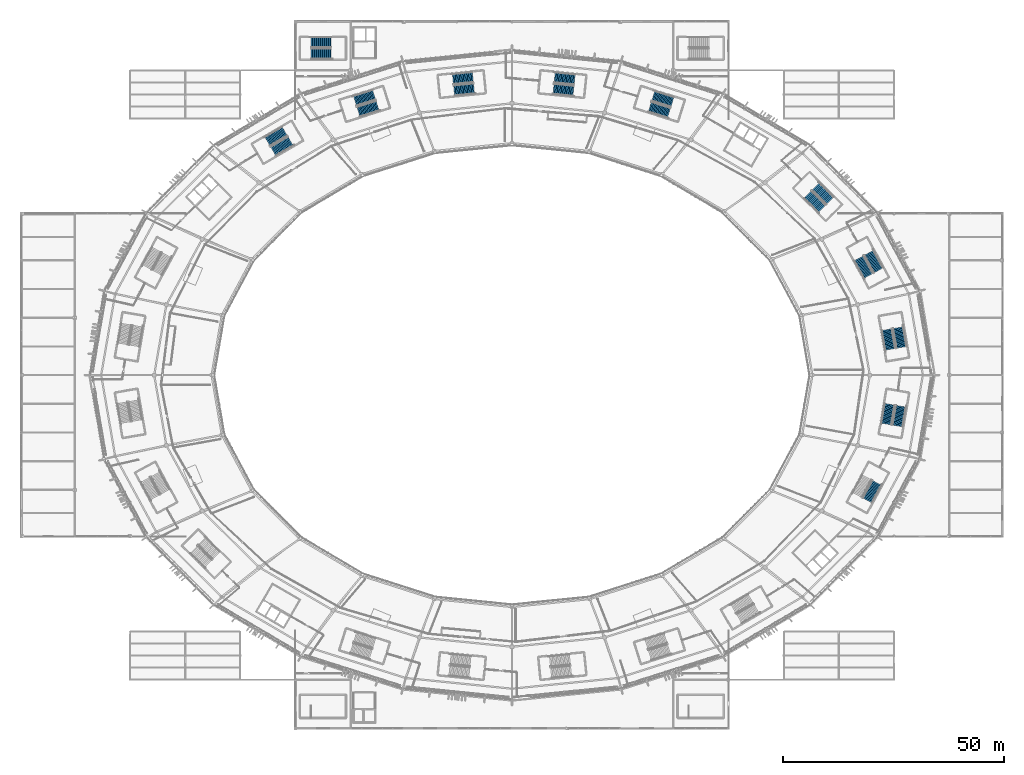
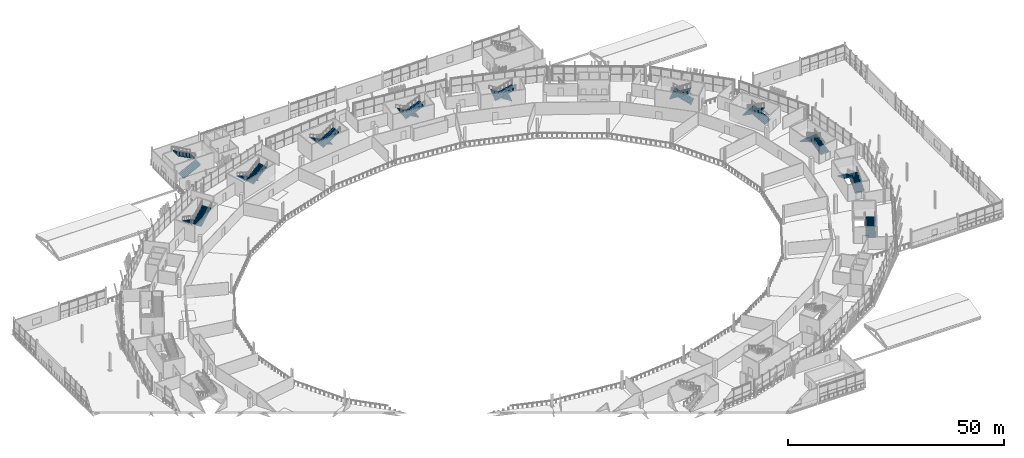
# One storey, part 137 of 179: 21 stair flights, 11 elements without a shape of their own.
"""IFC4 building model written with IfcOpenShell, lengths in metres."""

from ifc_helpers import new_model, si_unit, direction, frame, origin, place, context, subcontext, project, spatial, polyline, outline, extrude, material, type_object, element, aggregate, save


model = new_model("IFC4")

# Units and contexts
model_context = context("Model", 3, precision=1e-05, world=origin(), true_north=direction((0.0, 1.0)))
body_context = subcontext(model_context, "Body", "Model", "MODEL_VIEW")
ifc_project = project(units=[si_unit("LENGTHUNIT", "METRE"), si_unit("AREAUNIT", "SQUARE_METRE"), si_unit("VOLUMEUNIT", "CUBIC_METRE"), si_unit("PLANEANGLEUNIT", "RADIAN"), si_unit("MASSUNIT", "GRAM", prefix="KILO")], contexts=[model_context])

# Site, building, storey
site_placement = place(None, origin())
site = spatial("IfcSite", under=ifc_project, at=site_placement, CompositionType="ELEMENT")
building_placement = place(site_placement, origin())
building = spatial("IfcBuilding", under=site, at=building_placement, Name="Zlatoyarsky Gate Stadium", CompositionType="ELEMENT")
storey_placement = place(building_placement, frame((0.0, 0.0, 10.60009765625)))
storey = spatial("IfcBuildingStorey", under=building, at=storey_placement, Name="L02", CompositionType="ELEMENT", Elevation=10.60009765625)

# Stair, stair flights
ifc_material = material(Name="Concrete C40/50", Category="concrete")
stair_type = type_object("IfcStairType", Name="CONCRETE DOGLEG EXIT STAIR H5000", PredefinedType="TWO_STRAIGHT_RUN_STAIR", material=ifc_material)
stair_1_placement = place(storey_placement, origin())
stair_1 = element("IfcStair", 1, at=stair_1_placement, inside=storey, type_object=stair_type, Name="L02 Exit Stair ST-01", PredefinedType="TWO_STRAIGHT_RUN_STAIR")
stair_flight_type = type_object("IfcStairFlightType", Name="CONCRETE STAIR FLIGHT 2400 H5000", PredefinedType="STRAIGHT", material=ifc_material)
stair_flight_1_placement = place(storey_placement, frame((199.19287109375, 86.28125, 0.0), z_axis=(0.0, 0.0, 1.0), x_axis=(-0.169937754623, 0.985454798331, 0.0)))
stair_flight_1 = element("IfcStairFlight", 2, at=stair_flight_1_placement, type_object=stair_flight_type, Name="ST-DG50 flight 1", NumberOfRisers=16, NumberOfTreads=15, PredefinedType="STRAIGHT", RiserHeight=0.15625, TreadLength=0.3, context=body_context, shape_type="SweptSolid", body=[
    extrude(outline(polyline([(-0.006103515625, -0.202880859375), (-0.006103515625, 0.0), (0.0, 0.0), (0.0, 0.15625), (0.300048828125, 0.15625), (0.300048828125, 0.3125), (0.60009765625, 0.3125), (0.60009765625, 0.46875), (0.89990234375, 0.46875), (0.89990234375, 0.625), (1.199951171875, 0.625), (1.199951171875, 0.78125), (1.5, 0.78125), (1.5, 0.9375), (1.800048828125, 0.9375), (1.800048828125, 1.09375), (2.10009765625, 1.09375), (2.10009765625, 1.25), (2.39990234375, 1.25), (2.39990234375, 1.40625), (2.699951171875, 1.40625), (2.699951171875, 1.5625), (3.0, 1.5625), (3.0, 1.71875), (3.300048828125, 1.71875), (3.300048828125, 1.875), (3.60009765625, 1.875), (3.60009765625, 2.03125), (3.89990234375, 2.03125), (3.89990234375, 2.1875), (4.199951171875, 2.1875), (4.199951171875, 2.34375), (4.5, 2.34375), (4.5, 2.5), (4.506103515625, 2.5), (4.506103515625, 2.140869140625), (4.5, 2.140869140625), (-0.006103515625, -0.202880859375)])), frame((0.0, 1.199951171875, 0.0), z_axis=(0.0, -1.0, 0.0), x_axis=(1.0, 0.0, 0.0)), (0.0, 0.0, 1.0), 2.39990234375),
])
stair_flight_2_placement = place(storey_placement, frame((195.865966796875, 90.27392578125, 2.5), z_axis=(0.0, 0.0, 1.0), x_axis=(0.169937754623, -0.985454798331, 0.0)))
stair_flight_2 = element("IfcStairFlight", 3, at=stair_flight_2_placement, type_object=stair_flight_type, Name="ST-DG50 flight 2", NumberOfRisers=16, NumberOfTreads=15, PredefinedType="STRAIGHT", RiserHeight=0.15625, TreadLength=0.3, context=body_context, shape_type="SweptSolid", body=[
    extrude(outline(polyline([(-0.006103515625, -0.202880859375), (-0.006103515625, 0.0), (0.0, 0.0), (0.0, 0.15625), (0.300048828125, 0.15625), (0.300048828125, 0.3125), (0.60009765625, 0.3125), (0.60009765625, 0.46875), (0.89990234375, 0.46875), (0.89990234375, 0.625), (1.199951171875, 0.625), (1.199951171875, 0.78125), (1.5, 0.78125), (1.5, 0.9375), (1.800048828125, 0.9375), (1.800048828125, 1.09375), (2.10009765625, 1.09375), (2.10009765625, 1.25), (2.39990234375, 1.25), (2.39990234375, 1.40625), (2.699951171875, 1.40625), (2.699951171875, 1.5625), (3.0, 1.5625), (3.0, 1.71875), (3.300048828125, 1.71875), (3.300048828125, 1.875), (3.60009765625, 1.875), (3.60009765625, 2.03125), (3.89990234375, 2.03125), (3.89990234375, 2.1875), (4.199951171875, 2.1875), (4.199951171875, 2.34375), (4.5, 2.34375), (4.5, 2.5), (4.506103515625, 2.5), (4.506103515625, 2.140869140625), (4.5, 2.140869140625), (-0.006103515625, -0.202880859375)])), frame((0.0, 1.199951171875, 0.0), z_axis=(0.0, -1.0, 0.0), x_axis=(1.0, 0.0, 0.0)), (0.0, 0.0, 1.0), 2.39990234375),
])
aggregate(stair_1, [stair_flight_1, stair_flight_2])

stair_2_placement = place(storey_placement, origin())
stair_2 = element("IfcStair", 4, at=stair_2_placement, inside=storey, type_object=stair_type, Name="L02 Exit Stair ST-02", PredefinedType="TWO_STRAIGHT_RUN_STAIR")
stair_flight_3_placement = place(storey_placement, frame((182.98193359375, 119.49658203125, 0.0), z_axis=(0.0, 0.0, 1.0), x_axis=(-0.708901395436, 0.70530760066, 0.0)))
stair_flight_3 = element("IfcStairFlight", 5, at=stair_flight_3_placement, type_object=stair_flight_type, Name="ST-DG50 flight 1", NumberOfRisers=16, NumberOfTreads=15, PredefinedType="STRAIGHT", RiserHeight=0.15625, TreadLength=0.3, context=body_context, shape_type="SweptSolid", body=[
    extrude(outline(polyline([(-0.006103515625, -0.202880859375), (-0.006103515625, 0.0), (0.0, 0.0), (0.0, 0.15625), (0.300048828125, 0.15625), (0.300048828125, 0.3125), (0.60009765625, 0.3125), (0.60009765625, 0.46875), (0.89990234375, 0.46875), (0.89990234375, 0.625), (1.199951171875, 0.625), (1.199951171875, 0.78125), (1.5, 0.78125), (1.5, 0.9375), (1.800048828125, 0.9375), (1.800048828125, 1.09375), (2.10009765625, 1.09375), (2.10009765625, 1.25), (2.39990234375, 1.25), (2.39990234375, 1.40625), (2.699951171875, 1.40625), (2.699951171875, 1.5625), (3.0, 1.5625), (3.0, 1.71875), (3.300048828125, 1.71875), (3.300048828125, 1.875), (3.60009765625, 1.875), (3.60009765625, 2.03125), (3.89990234375, 2.03125), (3.89990234375, 2.1875), (4.199951171875, 2.1875), (4.199951171875, 2.34375), (4.5, 2.34375), (4.5, 2.5), (4.506103515625, 2.5), (4.506103515625, 2.140869140625), (4.5, 2.140869140625), (-0.006103515625, -0.202880859375)])), frame((0.0, 1.199951171875, 0.0), z_axis=(0.0, -1.0, 0.0), x_axis=(1.0, 0.0, 0.0)), (0.0, 0.0, 1.0), 2.39990234375),
])
stair_flight_4_placement = place(storey_placement, frame((177.9580078125, 120.827392578125, 2.5), z_axis=(0.0, 0.0, 1.0), x_axis=(0.708901395436, -0.70530760066, 0.0)))
stair_flight_4 = element("IfcStairFlight", 6, at=stair_flight_4_placement, type_object=stair_flight_type, Name="ST-DG50 flight 2", NumberOfRisers=16, NumberOfTreads=15, PredefinedType="STRAIGHT", RiserHeight=0.15625, TreadLength=0.3, context=body_context, shape_type="SweptSolid", body=[
    extrude(outline(polyline([(-0.006103515625, -0.202880859375), (-0.006103515625, 0.0), (0.0, 0.0), (0.0, 0.15625), (0.300048828125, 0.15625), (0.300048828125, 0.3125), (0.60009765625, 0.3125), (0.60009765625, 0.46875), (0.89990234375, 0.46875), (0.89990234375, 0.625), (1.199951171875, 0.625), (1.199951171875, 0.78125), (1.5, 0.78125), (1.5, 0.9375), (1.800048828125, 0.9375), (1.800048828125, 1.09375), (2.10009765625, 1.09375), (2.10009765625, 1.25), (2.39990234375, 1.25), (2.39990234375, 1.40625), (2.699951171875, 1.40625), (2.699951171875, 1.5625), (3.0, 1.5625), (3.0, 1.71875), (3.300048828125, 1.71875), (3.300048828125, 1.875), (3.60009765625, 1.875), (3.60009765625, 2.03125), (3.89990234375, 2.03125), (3.89990234375, 2.1875), (4.199951171875, 2.1875), (4.199951171875, 2.34375), (4.5, 2.34375), (4.5, 2.5), (4.506103515625, 2.5), (4.506103515625, 2.140869140625), (4.5, 2.140869140625), (-0.006103515625, -0.202880859375)])), frame((0.0, 1.199951171875, 0.0), z_axis=(0.0, -1.0, 0.0), x_axis=(1.0, 0.0, 0.0)), (0.0, 0.0, 1.0), 2.39990234375),
])
aggregate(stair_2, [stair_flight_3, stair_flight_4])

stair_3_placement = place(storey_placement, origin())
stair_3 = element("IfcStair", 7, at=stair_3_placement, inside=storey, type_object=stair_type, Name="L02 Exit Stair ST-03", PredefinedType="TWO_STRAIGHT_RUN_STAIR")
stair_flight_5_placement = place(storey_placement, frame((147.29150390625, 141.820068359375, 0.0), z_axis=(0.0, 0.0, 1.0), x_axis=(-0.953463118711, 0.301509670257, 0.0)))
stair_flight_5 = element("IfcStairFlight", 8, at=stair_flight_5_placement, type_object=stair_flight_type, Name="ST-DG50 flight 1", NumberOfRisers=16, NumberOfTreads=15, PredefinedType="STRAIGHT", RiserHeight=0.15625, TreadLength=0.3, context=body_context, shape_type="SweptSolid", body=[
    extrude(outline(polyline([(-0.006103515625, -0.202880859375), (-0.006103515625, 0.0), (0.0, 0.0), (0.0, 0.15625), (0.300048828125, 0.15625), (0.300048828125, 0.3125), (0.60009765625, 0.3125), (0.60009765625, 0.46875), (0.89990234375, 0.46875), (0.89990234375, 0.625), (1.199951171875, 0.625), (1.199951171875, 0.78125), (1.5, 0.78125), (1.5, 0.9375), (1.800048828125, 0.9375), (1.800048828125, 1.09375), (2.10009765625, 1.09375), (2.10009765625, 1.25), (2.39990234375, 1.25), (2.39990234375, 1.40625), (2.699951171875, 1.40625), (2.699951171875, 1.5625), (3.0, 1.5625), (3.0, 1.71875), (3.300048828125, 1.71875), (3.300048828125, 1.875), (3.60009765625, 1.875), (3.60009765625, 2.03125), (3.89990234375, 2.03125), (3.89990234375, 2.1875), (4.199951171875, 2.1875), (4.199951171875, 2.34375), (4.5, 2.34375), (4.5, 2.5), (4.506103515625, 2.5), (4.506103515625, 2.140869140625), (4.5, 2.140869140625), (-0.006103515625, -0.202880859375)])), frame((0.0, 1.199951171875, 0.0), z_axis=(0.0, -1.0, 0.0), x_axis=(1.0, 0.0, 0.0)), (0.0, 0.0, 1.0), 2.39990234375),
])
stair_flight_6_placement = place(storey_placement, frame((142.217041015625, 140.69775390625, 2.5), z_axis=(0.0, 0.0, 1.0), x_axis=(0.953463118711, -0.301509670257, 0.0)))
stair_flight_6 = element("IfcStairFlight", 9, at=stair_flight_6_placement, type_object=stair_flight_type, Name="ST-DG50 flight 2", NumberOfRisers=16, NumberOfTreads=15, PredefinedType="STRAIGHT", RiserHeight=0.15625, TreadLength=0.3, context=body_context, shape_type="SweptSolid", body=[
    extrude(outline(polyline([(-0.006103515625, -0.202880859375), (-0.006103515625, 0.0), (0.0, 0.0), (0.0, 0.15625), (0.300048828125, 0.15625), (0.300048828125, 0.3125), (0.60009765625, 0.3125), (0.60009765625, 0.46875), (0.89990234375, 0.46875), (0.89990234375, 0.625), (1.199951171875, 0.625), (1.199951171875, 0.78125), (1.5, 0.78125), (1.5, 0.9375), (1.800048828125, 0.9375), (1.800048828125, 1.09375), (2.10009765625, 1.09375), (2.10009765625, 1.25), (2.39990234375, 1.25), (2.39990234375, 1.40625), (2.699951171875, 1.40625), (2.699951171875, 1.5625), (3.0, 1.5625), (3.0, 1.71875), (3.300048828125, 1.71875), (3.300048828125, 1.875), (3.60009765625, 1.875), (3.60009765625, 2.03125), (3.89990234375, 2.03125), (3.89990234375, 2.1875), (4.199951171875, 2.1875), (4.199951171875, 2.34375), (4.5, 2.34375), (4.5, 2.5), (4.506103515625, 2.5), (4.506103515625, 2.140869140625), (4.5, 2.140869140625), (-0.006103515625, -0.202880859375)])), frame((0.0, 1.199951171875, 0.0), z_axis=(0.0, -1.0, 0.0), x_axis=(1.0, 0.0, 0.0)), (0.0, 0.0, 1.0), 2.39990234375),
])
aggregate(stair_3, [stair_flight_5, stair_flight_6])

stair_4_placement = place(storey_placement, origin())
stair_4 = element("IfcStair", 10, at=stair_4_placement, inside=storey, type_object=stair_type, Name="L02 Exit Stair ST-04", PredefinedType="TWO_STRAIGHT_RUN_STAIR")
stair_flight_7_placement = place(storey_placement, frame((102.123779296875, 147.4267578125, 0.0), z_axis=(0.0, 0.0, 1.0), x_axis=(-0.994986861964, -0.100005722426, 0.0)))
stair_flight_7 = element("IfcStairFlight", 11, at=stair_flight_7_placement, type_object=stair_flight_type, Name="ST-DG50 flight 1", NumberOfRisers=16, NumberOfTreads=15, PredefinedType="STRAIGHT", RiserHeight=0.15625, TreadLength=0.3, context=body_context, shape_type="SweptSolid", body=[
    extrude(outline(polyline([(-0.006103515625, -0.202880859375), (-0.006103515625, 0.0), (0.0, 0.0), (0.0, 0.15625), (0.300048828125, 0.15625), (0.300048828125, 0.3125), (0.60009765625, 0.3125), (0.60009765625, 0.46875), (0.89990234375, 0.46875), (0.89990234375, 0.625), (1.199951171875, 0.625), (1.199951171875, 0.78125), (1.5, 0.78125), (1.5, 0.9375), (1.800048828125, 0.9375), (1.800048828125, 1.09375), (2.10009765625, 1.09375), (2.10009765625, 1.25), (2.39990234375, 1.25), (2.39990234375, 1.40625), (2.699951171875, 1.40625), (2.699951171875, 1.5625), (3.0, 1.5625), (3.0, 1.71875), (3.300048828125, 1.71875), (3.300048828125, 1.875), (3.60009765625, 1.875), (3.60009765625, 2.03125), (3.89990234375, 2.03125), (3.89990234375, 2.1875), (4.199951171875, 2.1875), (4.199951171875, 2.34375), (4.5, 2.34375), (4.5, 2.5), (4.506103515625, 2.5), (4.506103515625, 2.140869140625), (4.5, 2.140869140625), (-0.006103515625, -0.202880859375)])), frame((0.0, 1.199951171875, 0.0), z_axis=(0.0, -1.0, 0.0), x_axis=(1.0, 0.0, 0.0)), (0.0, 0.0, 1.0), 2.39990234375),
])
stair_flight_8_placement = place(storey_placement, frame((97.906494140625, 144.389892578125, 2.5), z_axis=(0.0, 0.0, 1.0), x_axis=(0.994986861964, 0.100005722426, 0.0)))
stair_flight_8 = element("IfcStairFlight", 12, at=stair_flight_8_placement, type_object=stair_flight_type, Name="ST-DG50 flight 2", NumberOfRisers=16, NumberOfTreads=15, PredefinedType="STRAIGHT", RiserHeight=0.15625, TreadLength=0.3, context=body_context, shape_type="SweptSolid", body=[
    extrude(outline(polyline([(-0.006103515625, -0.202880859375), (-0.006103515625, 0.0), (0.0, 0.0), (0.0, 0.15625), (0.300048828125, 0.15625), (0.300048828125, 0.3125), (0.60009765625, 0.3125), (0.60009765625, 0.46875), (0.89990234375, 0.46875), (0.89990234375, 0.625), (1.199951171875, 0.625), (1.199951171875, 0.78125), (1.5, 0.78125), (1.5, 0.9375), (1.800048828125, 0.9375), (1.800048828125, 1.09375), (2.10009765625, 1.09375), (2.10009765625, 1.25), (2.39990234375, 1.25), (2.39990234375, 1.40625), (2.699951171875, 1.40625), (2.699951171875, 1.5625), (3.0, 1.5625), (3.0, 1.71875), (3.300048828125, 1.71875), (3.300048828125, 1.875), (3.60009765625, 1.875), (3.60009765625, 2.03125), (3.89990234375, 2.03125), (3.89990234375, 2.1875), (4.199951171875, 2.1875), (4.199951171875, 2.34375), (4.5, 2.34375), (4.5, 2.5), (4.506103515625, 2.5), (4.506103515625, 2.140869140625), (4.5, 2.140869140625), (-0.006103515625, -0.202880859375)])), frame((0.0, 1.199951171875, 0.0), z_axis=(0.0, -1.0, 0.0), x_axis=(1.0, 0.0, 0.0)), (0.0, 0.0, 1.0), 2.39990234375),
])
aggregate(stair_4, [stair_flight_7, stair_flight_8])

stair_5_placement = place(storey_placement, origin())
stair_5 = element("IfcStair", 13, at=stair_5_placement, inside=storey, type_object=stair_type, Name="L02 Exit Stair ST-05", PredefinedType="TWO_STRAIGHT_RUN_STAIR")
stair_flight_9_placement = place(storey_placement, frame((59.540771484375, 135.1689453125, 0.0), z_axis=(0.0, 0.0, 1.0), x_axis=(-0.86284821159, -0.505463118096, 0.0)))
stair_flight_9 = element("IfcStairFlight", 14, at=stair_flight_9_placement, type_object=stair_flight_type, Name="ST-DG50 flight 1", NumberOfRisers=16, NumberOfTreads=15, PredefinedType="STRAIGHT", RiserHeight=0.15625, TreadLength=0.3, context=body_context, shape_type="SweptSolid", body=[
    extrude(outline(polyline([(-0.006103515625, -0.202880859375), (-0.006103515625, 0.0), (0.0, 0.0), (0.0, 0.15625), (0.300048828125, 0.15625), (0.300048828125, 0.3125), (0.60009765625, 0.3125), (0.60009765625, 0.46875), (0.89990234375, 0.46875), (0.89990234375, 0.625), (1.199951171875, 0.625), (1.199951171875, 0.78125), (1.5, 0.78125), (1.5, 0.9375), (1.800048828125, 0.9375), (1.800048828125, 1.09375), (2.10009765625, 1.09375), (2.10009765625, 1.25), (2.39990234375, 1.25), (2.39990234375, 1.40625), (2.699951171875, 1.40625), (2.699951171875, 1.5625), (3.0, 1.5625), (3.0, 1.71875), (3.300048828125, 1.71875), (3.300048828125, 1.875), (3.60009765625, 1.875), (3.60009765625, 2.03125), (3.89990234375, 2.03125), (3.89990234375, 2.1875), (4.199951171875, 2.1875), (4.199951171875, 2.34375), (4.5, 2.34375), (4.5, 2.5), (4.506103515625, 2.5), (4.506103515625, 2.140869140625), (4.5, 2.140869140625), (-0.006103515625, -0.202880859375)])), frame((0.0, 1.199951171875, 0.0), z_axis=(0.0, -1.0, 0.0), x_axis=(1.0, 0.0, 0.0)), (0.0, 0.0, 1.0), 2.39990234375),
])
stair_flight_10_placement = place(storey_placement, frame((56.97216796875, 130.651123046875, 2.5), z_axis=(0.0, 0.0, 1.0), x_axis=(0.86284821159, 0.505463118096, 0.0)))
stair_flight_10 = element("IfcStairFlight", 15, at=stair_flight_10_placement, type_object=stair_flight_type, Name="ST-DG50 flight 2", NumberOfRisers=16, NumberOfTreads=15, PredefinedType="STRAIGHT", RiserHeight=0.15625, TreadLength=0.3, context=body_context, shape_type="SweptSolid", body=[
    extrude(outline(polyline([(-0.006103515625, -0.202880859375), (-0.006103515625, 0.0), (0.0, 0.0), (0.0, 0.15625), (0.300048828125, 0.15625), (0.300048828125, 0.3125), (0.60009765625, 0.3125), (0.60009765625, 0.46875), (0.89990234375, 0.46875), (0.89990234375, 0.625), (1.199951171875, 0.625), (1.199951171875, 0.78125), (1.5, 0.78125), (1.5, 0.9375), (1.800048828125, 0.9375), (1.800048828125, 1.09375), (2.10009765625, 1.09375), (2.10009765625, 1.25), (2.39990234375, 1.25), (2.39990234375, 1.40625), (2.699951171875, 1.40625), (2.699951171875, 1.5625), (3.0, 1.5625), (3.0, 1.71875), (3.300048828125, 1.71875), (3.300048828125, 1.875), (3.60009765625, 1.875), (3.60009765625, 2.03125), (3.89990234375, 2.03125), (3.89990234375, 2.1875), (4.199951171875, 2.1875), (4.199951171875, 2.34375), (4.5, 2.34375), (4.5, 2.5), (4.506103515625, 2.5), (4.506103515625, 2.140869140625), (4.5, 2.140869140625), (-0.006103515625, -0.202880859375)])), frame((0.0, 1.199951171875, 0.0), z_axis=(0.0, -1.0, 0.0), x_axis=(1.0, 0.0, 0.0)), (0.0, 0.0, 1.0), 2.39990234375),
])
aggregate(stair_5, [stair_flight_9, stair_flight_10])

# Stair, stair flight
stair_6_placement = place(storey_placement, origin())
stair_6 = element("IfcStair", 16, at=stair_6_placement, inside=storey, type_object=stair_type, Name="L02 Exit Stair ST-12", PredefinedType="TWO_STRAIGHT_RUN_STAIR")
stair_flight_11_placement = place(storey_placement, frame((191.4482421875, 51.62646484375, 0.0), z_axis=(0.0, 0.0, 1.0), x_axis=(0.476890318595, 0.878962811518, 0.0)))
stair_flight_11 = element("IfcStairFlight", 17, at=stair_flight_11_placement, type_object=stair_flight_type, Name="ST-DG50 flight 1", NumberOfRisers=16, NumberOfTreads=15, PredefinedType="STRAIGHT", RiserHeight=0.15625, TreadLength=0.3, context=body_context, shape_type="SweptSolid", body=[
    extrude(outline(polyline([(-0.006103515625, -0.202880859375), (-0.006103515625, 0.0), (0.0, 0.0), (0.0, 0.15625), (0.300048828125, 0.15625), (0.300048828125, 0.3125), (0.60009765625, 0.3125), (0.60009765625, 0.46875), (0.89990234375, 0.46875), (0.89990234375, 0.625), (1.199951171875, 0.625), (1.199951171875, 0.78125), (1.5, 0.78125), (1.5, 0.9375), (1.800048828125, 0.9375), (1.800048828125, 1.09375), (2.10009765625, 1.09375), (2.10009765625, 1.25), (2.39990234375, 1.25), (2.39990234375, 1.40625), (2.699951171875, 1.40625), (2.699951171875, 1.5625), (3.0, 1.5625), (3.0, 1.71875), (3.300048828125, 1.71875), (3.300048828125, 1.875), (3.60009765625, 1.875), (3.60009765625, 2.03125), (3.89990234375, 2.03125), (3.89990234375, 2.1875), (4.199951171875, 2.1875), (4.199951171875, 2.34375), (4.5, 2.34375), (4.5, 2.5), (4.506103515625, 2.5), (4.506103515625, 2.140869140625), (4.5, 2.140869140625), (-0.006103515625, -0.202880859375)])), frame((0.0, 1.199951171875, 0.0), z_axis=(0.0, -1.0, 0.0), x_axis=(1.0, 0.0, 0.0)), (0.0, 0.0, 1.0), 2.39990234375),
])
aggregate(stair_6, [stair_flight_11])

# Stair, stair flights
stair_7_placement = place(storey_placement, origin())
stair_7 = element("IfcStair", 18, at=stair_7_placement, inside=storey, type_object=stair_type, Name="L02 Exit Stair ST-13", PredefinedType="TWO_STRAIGHT_RUN_STAIR")
stair_flight_12_placement = place(storey_placement, frame((193.9755859375, 103.715087890625, 0.0), z_axis=(0.0, 0.0, 1.0), x_axis=(-0.476890318595, 0.878962811518, 0.0)))
stair_flight_12 = element("IfcStairFlight", 19, at=stair_flight_12_placement, type_object=stair_flight_type, Name="ST-DG50 flight 1", NumberOfRisers=16, NumberOfTreads=15, PredefinedType="STRAIGHT", RiserHeight=0.15625, TreadLength=0.3, context=body_context, shape_type="SweptSolid", body=[
    extrude(outline(polyline([(-0.006103515625, -0.202880859375), (-0.006103515625, 0.0), (0.0, 0.0), (0.0, 0.15625), (0.300048828125, 0.15625), (0.300048828125, 0.3125), (0.60009765625, 0.3125), (0.60009765625, 0.46875), (0.89990234375, 0.46875), (0.89990234375, 0.625), (1.199951171875, 0.625), (1.199951171875, 0.78125), (1.5, 0.78125), (1.5, 0.9375), (1.800048828125, 0.9375), (1.800048828125, 1.09375), (2.10009765625, 1.09375), (2.10009765625, 1.25), (2.39990234375, 1.25), (2.39990234375, 1.40625), (2.699951171875, 1.40625), (2.699951171875, 1.5625), (3.0, 1.5625), (3.0, 1.71875), (3.300048828125, 1.71875), (3.300048828125, 1.875), (3.60009765625, 1.875), (3.60009765625, 2.03125), (3.89990234375, 2.03125), (3.89990234375, 2.1875), (4.199951171875, 2.1875), (4.199951171875, 2.34375), (4.5, 2.34375), (4.5, 2.5), (4.506103515625, 2.5), (4.506103515625, 2.140869140625), (4.5, 2.140869140625), (-0.006103515625, -0.202880859375)])), frame((0.0, 1.199951171875, 0.0), z_axis=(0.0, -1.0, 0.0), x_axis=(1.0, 0.0, 0.0)), (0.0, 0.0, 1.0), 2.39990234375),
])
stair_flight_13_placement = place(storey_placement, frame((189.54443359375, 106.430419921875, 2.5), z_axis=(0.0, 0.0, 1.0), x_axis=(0.476890318595, -0.878962811518, 0.0)))
stair_flight_13 = element("IfcStairFlight", 20, at=stair_flight_13_placement, type_object=stair_flight_type, Name="ST-DG50 flight 2", NumberOfRisers=16, NumberOfTreads=15, PredefinedType="STRAIGHT", RiserHeight=0.15625, TreadLength=0.3, context=body_context, shape_type="SweptSolid", body=[
    extrude(outline(polyline([(-0.006103515625, -0.202880859375), (-0.006103515625, 0.0), (0.0, 0.0), (0.0, 0.15625), (0.300048828125, 0.15625), (0.300048828125, 0.3125), (0.60009765625, 0.3125), (0.60009765625, 0.46875), (0.89990234375, 0.46875), (0.89990234375, 0.625), (1.199951171875, 0.625), (1.199951171875, 0.78125), (1.5, 0.78125), (1.5, 0.9375), (1.800048828125, 0.9375), (1.800048828125, 1.09375), (2.10009765625, 1.09375), (2.10009765625, 1.25), (2.39990234375, 1.25), (2.39990234375, 1.40625), (2.699951171875, 1.40625), (2.699951171875, 1.5625), (3.0, 1.5625), (3.0, 1.71875), (3.300048828125, 1.71875), (3.300048828125, 1.875), (3.60009765625, 1.875), (3.60009765625, 2.03125), (3.89990234375, 2.03125), (3.89990234375, 2.1875), (4.199951171875, 2.1875), (4.199951171875, 2.34375), (4.5, 2.34375), (4.5, 2.5), (4.506103515625, 2.5), (4.506103515625, 2.140869140625), (4.5, 2.140869140625), (-0.006103515625, -0.202880859375)])), frame((0.0, 1.199951171875, 0.0), z_axis=(0.0, -1.0, 0.0), x_axis=(1.0, 0.0, 0.0)), (0.0, 0.0, 1.0), 2.39990234375),
])
aggregate(stair_7, [stair_flight_12, stair_flight_13])

stair_8_placement = place(storey_placement, origin())
stair_8 = element("IfcStair", 21, at=stair_8_placement, inside=storey, type_object=stair_type, Name="L02 Exit Stair ST-14", PredefinedType="TWO_STRAIGHT_RUN_STAIR")
stair_flight_14_placement = place(storey_placement, frame((79.76171875, 143.41796875, 0.0), z_axis=(0.0, 0.0, 1.0), x_axis=(-0.953463118711, -0.301509670257, 0.0)))
stair_flight_14 = element("IfcStairFlight", 22, at=stair_flight_14_placement, type_object=stair_flight_type, Name="ST-DG50 flight 1", NumberOfRisers=16, NumberOfTreads=15, PredefinedType="STRAIGHT", RiserHeight=0.15625, TreadLength=0.3, context=body_context, shape_type="SweptSolid", body=[
    extrude(outline(polyline([(-0.006103515625, -0.202880859375), (-0.006103515625, 0.0), (0.0, 0.0), (0.0, 0.15625), (0.300048828125, 0.15625), (0.300048828125, 0.3125), (0.60009765625, 0.3125), (0.60009765625, 0.46875), (0.89990234375, 0.46875), (0.89990234375, 0.625), (1.199951171875, 0.625), (1.199951171875, 0.78125), (1.5, 0.78125), (1.5, 0.9375), (1.800048828125, 0.9375), (1.800048828125, 1.09375), (2.10009765625, 1.09375), (2.10009765625, 1.25), (2.39990234375, 1.25), (2.39990234375, 1.40625), (2.699951171875, 1.40625), (2.699951171875, 1.5625), (3.0, 1.5625), (3.0, 1.71875), (3.300048828125, 1.71875), (3.300048828125, 1.875), (3.60009765625, 1.875), (3.60009765625, 2.03125), (3.89990234375, 2.03125), (3.89990234375, 2.1875), (4.199951171875, 2.1875), (4.199951171875, 2.34375), (4.5, 2.34375), (4.5, 2.5), (4.506103515625, 2.5), (4.506103515625, 2.140869140625), (4.5, 2.140869140625), (-0.006103515625, -0.202880859375)])), frame((0.0, 1.199951171875, 0.0), z_axis=(0.0, -1.0, 0.0), x_axis=(1.0, 0.0, 0.0)), (0.0, 0.0, 1.0), 2.39990234375),
])
stair_flight_15_placement = place(storey_placement, frame((76.255126953125, 139.582275390625, 2.5), z_axis=(0.0, 0.0, 1.0), x_axis=(0.953463118711, 0.301509670257, 0.0)))
stair_flight_15 = element("IfcStairFlight", 23, at=stair_flight_15_placement, type_object=stair_flight_type, Name="ST-DG50 flight 2", NumberOfRisers=16, NumberOfTreads=15, PredefinedType="STRAIGHT", RiserHeight=0.15625, TreadLength=0.3, context=body_context, shape_type="SweptSolid", body=[
    extrude(outline(polyline([(-0.006103515625, -0.202880859375), (-0.006103515625, 0.0), (0.0, 0.0), (0.0, 0.15625), (0.300048828125, 0.15625), (0.300048828125, 0.3125), (0.60009765625, 0.3125), (0.60009765625, 0.46875), (0.89990234375, 0.46875), (0.89990234375, 0.625), (1.199951171875, 0.625), (1.199951171875, 0.78125), (1.5, 0.78125), (1.5, 0.9375), (1.800048828125, 0.9375), (1.800048828125, 1.09375), (2.10009765625, 1.09375), (2.10009765625, 1.25), (2.39990234375, 1.25), (2.39990234375, 1.40625), (2.699951171875, 1.40625), (2.699951171875, 1.5625), (3.0, 1.5625), (3.0, 1.71875), (3.300048828125, 1.71875), (3.300048828125, 1.875), (3.60009765625, 1.875), (3.60009765625, 2.03125), (3.89990234375, 2.03125), (3.89990234375, 2.1875), (4.199951171875, 2.1875), (4.199951171875, 2.34375), (4.5, 2.34375), (4.5, 2.5), (4.506103515625, 2.5), (4.506103515625, 2.140869140625), (4.5, 2.140869140625), (-0.006103515625, -0.202880859375)])), frame((0.0, 1.199951171875, 0.0), z_axis=(0.0, -1.0, 0.0), x_axis=(1.0, 0.0, 0.0)), (0.0, 0.0, 1.0), 2.39990234375),
])
aggregate(stair_8, [stair_flight_14, stair_flight_15])

stair_9_placement = place(storey_placement, origin())
stair_9 = element("IfcStair", 24, at=stair_9_placement, inside=storey, type_object=stair_type, Name="L02 Exit Stair ST-17", PredefinedType="TWO_STRAIGHT_RUN_STAIR")
stair_flight_16_placement = place(storey_placement, frame((125.149658203125, 146.896728515625, 0.0), z_axis=(0.0, 0.0, 1.0), x_axis=(-0.994986861964, 0.100005722426, 0.0)))
stair_flight_16 = element("IfcStairFlight", 25, at=stair_flight_16_placement, type_object=stair_flight_type, Name="ST-DG50 flight 1", NumberOfRisers=16, NumberOfTreads=15, PredefinedType="STRAIGHT", RiserHeight=0.15625, TreadLength=0.3, context=body_context, shape_type="SweptSolid", body=[
    extrude(outline(polyline([(-0.006103515625, -0.202880859375), (-0.006103515625, 0.0), (0.0, 0.0), (0.0, 0.15625), (0.300048828125, 0.15625), (0.300048828125, 0.3125), (0.60009765625, 0.3125), (0.60009765625, 0.46875), (0.89990234375, 0.46875), (0.89990234375, 0.625), (1.199951171875, 0.625), (1.199951171875, 0.78125), (1.5, 0.78125), (1.5, 0.9375), (1.800048828125, 0.9375), (1.800048828125, 1.09375), (2.10009765625, 1.09375), (2.10009765625, 1.25), (2.39990234375, 1.25), (2.39990234375, 1.40625), (2.699951171875, 1.40625), (2.699951171875, 1.5625), (3.0, 1.5625), (3.0, 1.71875), (3.300048828125, 1.71875), (3.300048828125, 1.875), (3.60009765625, 1.875), (3.60009765625, 2.03125), (3.89990234375, 2.03125), (3.89990234375, 2.1875), (4.199951171875, 2.1875), (4.199951171875, 2.34375), (4.5, 2.34375), (4.5, 2.5), (4.506103515625, 2.5), (4.506103515625, 2.140869140625), (4.5, 2.140869140625), (-0.006103515625, -0.202880859375)])), frame((0.0, 1.199951171875, 0.0), z_axis=(0.0, -1.0, 0.0), x_axis=(1.0, 0.0, 0.0)), (0.0, 0.0, 1.0), 2.39990234375),
])
stair_flight_17_placement = place(storey_placement, frame((120.412109375, 144.760009765625, 2.5), z_axis=(0.0, 0.0, 1.0), x_axis=(0.994986861964, -0.100005722426, 0.0)))
stair_flight_17 = element("IfcStairFlight", 26, at=stair_flight_17_placement, type_object=stair_flight_type, Name="ST-DG50 flight 2", NumberOfRisers=16, NumberOfTreads=15, PredefinedType="STRAIGHT", RiserHeight=0.15625, TreadLength=0.3, context=body_context, shape_type="SweptSolid", body=[
    extrude(outline(polyline([(-0.006103515625, -0.202880859375), (-0.006103515625, 0.0), (0.0, 0.0), (0.0, 0.15625), (0.300048828125, 0.15625), (0.300048828125, 0.3125), (0.60009765625, 0.3125), (0.60009765625, 0.46875), (0.89990234375, 0.46875), (0.89990234375, 0.625), (1.199951171875, 0.625), (1.199951171875, 0.78125), (1.5, 0.78125), (1.5, 0.9375), (1.800048828125, 0.9375), (1.800048828125, 1.09375), (2.10009765625, 1.09375), (2.10009765625, 1.25), (2.39990234375, 1.25), (2.39990234375, 1.40625), (2.699951171875, 1.40625), (2.699951171875, 1.5625), (3.0, 1.5625), (3.0, 1.71875), (3.300048828125, 1.71875), (3.300048828125, 1.875), (3.60009765625, 1.875), (3.60009765625, 2.03125), (3.89990234375, 2.03125), (3.89990234375, 2.1875), (4.199951171875, 2.1875), (4.199951171875, 2.34375), (4.5, 2.34375), (4.5, 2.5), (4.506103515625, 2.5), (4.506103515625, 2.140869140625), (4.5, 2.140869140625), (-0.006103515625, -0.202880859375)])), frame((0.0, 1.199951171875, 0.0), z_axis=(0.0, -1.0, 0.0), x_axis=(1.0, 0.0, 0.0)), (0.0, 0.0, 1.0), 2.39990234375),
])
aggregate(stair_9, [stair_flight_16, stair_flight_17])

stair_10_placement = place(storey_placement, origin())
stair_10 = element("IfcStair", 27, at=stair_10_placement, inside=storey, type_object=stair_type, Name="L02 Exit Stair ST-20", PredefinedType="TWO_STRAIGHT_RUN_STAIR")
stair_flight_18_placement = place(storey_placement, frame((198.292236328125, 68.495849609375, 0.0), z_axis=(0.0, 0.0, 1.0), x_axis=(0.169937754623, 0.985454798331, 0.0)))
stair_flight_18 = element("IfcStairFlight", 28, at=stair_flight_18_placement, type_object=stair_flight_type, Name="ST-DG50 flight 1", NumberOfRisers=16, NumberOfTreads=15, PredefinedType="STRAIGHT", RiserHeight=0.15625, TreadLength=0.3, context=body_context, shape_type="SweptSolid", body=[
    extrude(outline(polyline([(-0.006103515625, -0.202880859375), (-0.006103515625, 0.0), (0.0, 0.0), (0.0, 0.15625), (0.300048828125, 0.15625), (0.300048828125, 0.3125), (0.60009765625, 0.3125), (0.60009765625, 0.46875), (0.89990234375, 0.46875), (0.89990234375, 0.625), (1.199951171875, 0.625), (1.199951171875, 0.78125), (1.5, 0.78125), (1.5, 0.9375), (1.800048828125, 0.9375), (1.800048828125, 1.09375), (2.10009765625, 1.09375), (2.10009765625, 1.25), (2.39990234375, 1.25), (2.39990234375, 1.40625), (2.699951171875, 1.40625), (2.699951171875, 1.5625), (3.0, 1.5625), (3.0, 1.71875), (3.300048828125, 1.71875), (3.300048828125, 1.875), (3.60009765625, 1.875), (3.60009765625, 2.03125), (3.89990234375, 2.03125), (3.89990234375, 2.1875), (4.199951171875, 2.1875), (4.199951171875, 2.34375), (4.5, 2.34375), (4.5, 2.5), (4.506103515625, 2.5), (4.506103515625, 2.140869140625), (4.5, 2.140869140625), (-0.006103515625, -0.202880859375)])), frame((0.0, 1.199951171875, 0.0), z_axis=(0.0, -1.0, 0.0), x_axis=(1.0, 0.0, 0.0)), (0.0, 0.0, 1.0), 2.39990234375),
])
stair_flight_19_placement = place(storey_placement, frame((196.49462890625, 73.372314453125, 2.5), z_axis=(0.0, 0.0, 1.0), x_axis=(-0.169937754623, -0.985454798331, 0.0)))
stair_flight_19 = element("IfcStairFlight", 29, at=stair_flight_19_placement, type_object=stair_flight_type, Name="ST-DG50 flight 2", NumberOfRisers=16, NumberOfTreads=15, PredefinedType="STRAIGHT", RiserHeight=0.15625, TreadLength=0.3, context=body_context, shape_type="SweptSolid", body=[
    extrude(outline(polyline([(-0.006103515625, -0.202880859375), (-0.006103515625, 0.0), (0.0, 0.0), (0.0, 0.15625), (0.300048828125, 0.15625), (0.300048828125, 0.3125), (0.60009765625, 0.3125), (0.60009765625, 0.46875), (0.89990234375, 0.46875), (0.89990234375, 0.625), (1.199951171875, 0.625), (1.199951171875, 0.78125), (1.5, 0.78125), (1.5, 0.9375), (1.800048828125, 0.9375), (1.800048828125, 1.09375), (2.10009765625, 1.09375), (2.10009765625, 1.25), (2.39990234375, 1.25), (2.39990234375, 1.40625), (2.699951171875, 1.40625), (2.699951171875, 1.5625), (3.0, 1.5625), (3.0, 1.71875), (3.300048828125, 1.71875), (3.300048828125, 1.875), (3.60009765625, 1.875), (3.60009765625, 2.03125), (3.89990234375, 2.03125), (3.89990234375, 2.1875), (4.199951171875, 2.1875), (4.199951171875, 2.34375), (4.5, 2.34375), (4.5, 2.5), (4.506103515625, 2.5), (4.506103515625, 2.140869140625), (4.5, 2.140869140625), (-0.006103515625, -0.202880859375)])), frame((0.0, 1.199951171875, 0.0), z_axis=(0.0, -1.0, 0.0), x_axis=(1.0, 0.0, 0.0)), (0.0, 0.0, 1.0), 2.39990234375),
])
aggregate(stair_10, [stair_flight_18, stair_flight_19])

stair_11_placement = place(storey_placement, origin())
stair_11 = element("IfcStair", 30, at=stair_11_placement, inside=storey, type_object=stair_type, Name="L02 Exit Stair ST-31", PredefinedType="TWO_STRAIGHT_RUN_STAIR")
stair_flight_20_placement = place(storey_placement, frame((65.550048828125, 152.699951171875, 0.0), z_axis=(0.0, 0.0, 1.0), x_axis=(1.0, 0.0, 0.0)))
stair_flight_20 = element("IfcStairFlight", 31, at=stair_flight_20_placement, type_object=stair_flight_type, Name="ST-DG50 flight 1", NumberOfRisers=16, NumberOfTreads=15, PredefinedType="STRAIGHT", RiserHeight=0.15625, TreadLength=0.3, context=body_context, shape_type="SweptSolid", body=[
    extrude(outline(polyline([(-0.006103515625, -0.202880859375), (-0.006103515625, 0.0), (0.0, 0.0), (0.0, 0.15625), (0.300048828125, 0.15625), (0.300048828125, 0.3125), (0.60009765625, 0.3125), (0.60009765625, 0.46875), (0.89990234375, 0.46875), (0.89990234375, 0.625), (1.199951171875, 0.625), (1.199951171875, 0.78125), (1.5, 0.78125), (1.5, 0.9375), (1.800048828125, 0.9375), (1.800048828125, 1.09375), (2.10009765625, 1.09375), (2.10009765625, 1.25), (2.39990234375, 1.25), (2.39990234375, 1.40625), (2.699951171875, 1.40625), (2.699951171875, 1.5625), (3.0, 1.5625), (3.0, 1.71875), (3.300048828125, 1.71875), (3.300048828125, 1.875), (3.60009765625, 1.875), (3.60009765625, 2.03125), (3.89990234375, 2.03125), (3.89990234375, 2.1875), (4.199951171875, 2.1875), (4.199951171875, 2.34375), (4.5, 2.34375), (4.5, 2.5), (4.506103515625, 2.5), (4.506103515625, 2.140869140625), (4.5, 2.140869140625), (-0.006103515625, -0.202880859375)])), frame((0.0, 1.199951171875, 0.0), z_axis=(0.0, -1.0, 0.0), x_axis=(1.0, 0.0, 0.0)), (0.0, 0.0, 1.0), 2.39990234375),
])
stair_flight_21_placement = place(storey_placement, frame((70.050048828125, 155.300048828125, 2.5), z_axis=(0.0, 0.0, 1.0), x_axis=(-1.0, 0.0, 0.0)))
stair_flight_21 = element("IfcStairFlight", 32, at=stair_flight_21_placement, type_object=stair_flight_type, Name="ST-DG50 flight 2", NumberOfRisers=16, NumberOfTreads=15, PredefinedType="STRAIGHT", RiserHeight=0.15625, TreadLength=0.3, context=body_context, shape_type="SweptSolid", body=[
    extrude(outline(polyline([(-0.006103515625, -0.202880859375), (-0.006103515625, 0.0), (0.0, 0.0), (0.0, 0.15625), (0.300048828125, 0.15625), (0.300048828125, 0.3125), (0.60009765625, 0.3125), (0.60009765625, 0.46875), (0.89990234375, 0.46875), (0.89990234375, 0.625), (1.199951171875, 0.625), (1.199951171875, 0.78125), (1.5, 0.78125), (1.5, 0.9375), (1.800048828125, 0.9375), (1.800048828125, 1.09375), (2.10009765625, 1.09375), (2.10009765625, 1.25), (2.39990234375, 1.25), (2.39990234375, 1.40625), (2.699951171875, 1.40625), (2.699951171875, 1.5625), (3.0, 1.5625), (3.0, 1.71875), (3.300048828125, 1.71875), (3.300048828125, 1.875), (3.60009765625, 1.875), (3.60009765625, 2.03125), (3.89990234375, 2.03125), (3.89990234375, 2.1875), (4.199951171875, 2.1875), (4.199951171875, 2.34375), (4.5, 2.34375), (4.5, 2.5), (4.506103515625, 2.5), (4.506103515625, 2.140869140625), (4.5, 2.140869140625), (-0.006103515625, -0.202880859375)])), frame((0.0, 1.199951171875, 0.0), z_axis=(0.0, -1.0, 0.0), x_axis=(1.0, 0.0, 0.0)), (0.0, 0.0, 1.0), 2.39990234375),
])
aggregate(stair_11, [stair_flight_20, stair_flight_21])

save(model, "model.ifc")
